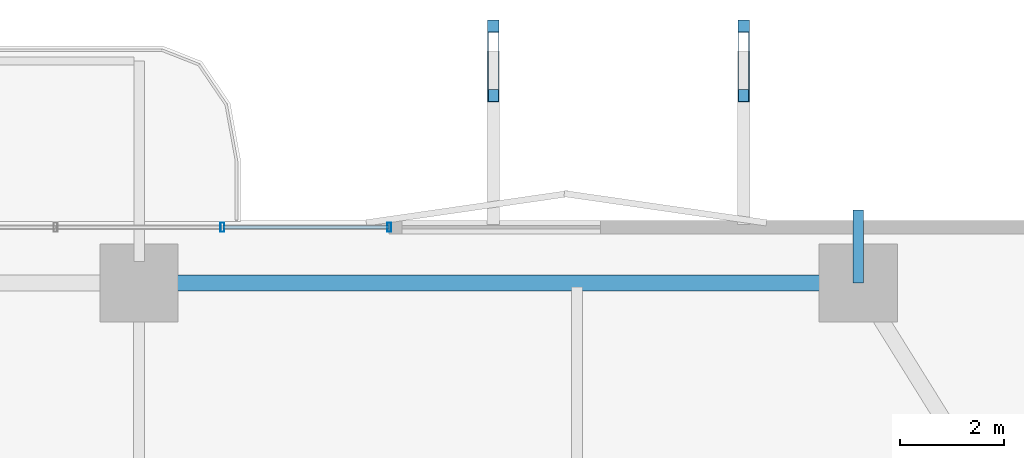
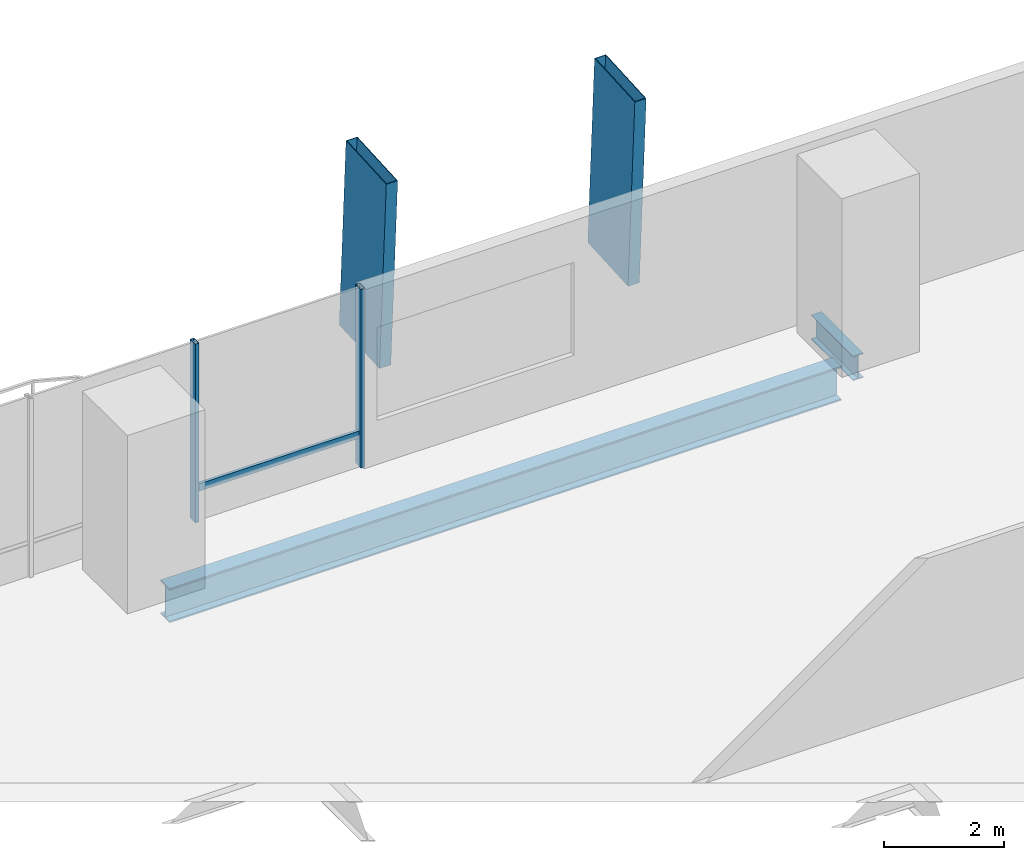
# One storey, part 15 of 24: 5 members, 2 beams, 1 element without a shape of its own.
"""IFC4 building model written with IfcOpenShell, lengths in metres."""

from ifc_helpers import new_model, si_unit, direction, frame, origin, origin_2d, place, context, subcontext, project, spatial, hollow_rectangle, i_section, extrude, material, layer, layer_set, material_profile, profile_set, type_object, element, aggregate, save


model = new_model("IFC4")

# Units and contexts
model_context = context("Model", 3, precision=1e-05, world=origin(), true_north=direction((0.0, 1.0)))
body_context = subcontext(model_context, "Body", "Model", "MODEL_VIEW")
ifc_project = project(units=[si_unit("LENGTHUNIT", "METRE"), si_unit("AREAUNIT", "SQUARE_METRE"), si_unit("VOLUMEUNIT", "CUBIC_METRE"), si_unit("PLANEANGLEUNIT", "RADIAN"), si_unit("MASSUNIT", "GRAM", prefix="KILO")], contexts=[model_context])

# Site, building, storey
site_placement = place(None, origin())
site = spatial("IfcSite", under=ifc_project, at=site_placement, CompositionType="ELEMENT")
building_placement = place(site_placement, origin())
building = spatial("IfcBuilding", under=site, at=building_placement, Name="Belovzor Exchange Tower", CompositionType="ELEMENT")
storey_placement = place(building_placement, frame((0.0, 0.0, 37.800048828125)))
storey = spatial("IfcBuildingStorey", under=building, at=storey_placement, Name="L08", CompositionType="ELEMENT", Elevation=37.800048828125)

# Members
ifc_material_1 = material(Name="Extruded Architectural Terracotta on Steel S355 Carrier", Category="masonry")
ifc_material_profile_1 = material_profile(ifc_material_1, hollow_rectangle(XDim=0.219970703125, YDim=1.35009765625, WallThickness=0.013916015625, at=origin_2d()))
ifc_profile_set_1 = profile_set([ifc_material_profile_1], Name="Extruded Architectural Terracotta on Steel S355 Carrier")
member_type_1 = type_object("IfcMemberType", Name="Base Arc Sweeping Terracotta Pylon Fin 1450", PredefinedType="USERDEFINED", material=ifc_profile_set_1)
for number, where, z_axis, x_axis, name in (
    (1, (35.60009765625, 59.873046875, -0.25), (0.0, -0.058121188646, 0.998309534879), (1.0, 0.0, 0.0), "FIN-TC145 Terracotta Facade Fin L08 N3"),
    (2, (40.39990234375, 59.873046875, -0.25), (0.0, -0.058121188646, 0.998309534879), (1.0, 0.0, 0.0), "FIN-TC145 Terracotta Facade Fin L08 N4"),
):
    element("IfcMember", number, at=place(storey_placement, frame(where, z_axis=z_axis, x_axis=x_axis)), inside=storey, type_object=member_type_1, Name=name, ObjectType="FIN", PredefinedType="USERDEFINED", context=body_context, shape_type="SweptSolid", body=[
        extrude(hollow_rectangle(XDim=0.219970703125, YDim=1.35009765625, WallThickness=0.013916015625, at=origin_2d()), origin(), (0.0, 0.0, 1.0), 3.906494140625),
    ])

# Beam
ifc_material_2 = material(Name="Steel S355", Category="steel")
ifc_material_profile_2 = material_profile(ifc_material_2, i_section(OverallWidth=0.199951171875, OverallDepth=0.5, WebThickness=0.01025390625, FlangeThickness=0.01611328125, at=origin_2d()))
ifc_profile_set_2 = profile_set([ifc_material_profile_2], Name="Steel S355")
beam_type_1 = type_object("IfcBeamType", Name="Planted Balcony Cantilever Beam IPE 500", PredefinedType="BEAM", material=ifc_profile_set_2)
beam_1_placement = place(storey_placement, frame((42.60009765625, 55.5, -0.5), z_axis=(0.0, 1.0, 0.0), x_axis=(-1.0, 0.0, 0.0)))
element("IfcBeam", 3, at=beam_1_placement, inside=storey, type_object=beam_type_1, Name="BC-500 Planted Balcony Cantilever Beam IPE 500", PredefinedType="BEAM", context=body_context, shape_type="SweptSolid", body=[
    extrude(i_section(OverallWidth=0.199951171875, OverallDepth=0.5, WebThickness=0.01025390625, FlangeThickness=0.01611328125, at=origin_2d()), origin(), (0.0, 0.0, 1.0), 1.39990234375),
])

# Curtain wall, members
ifc_material_3 = material(Name="Anodised Aluminium Framing", Category="aluminium")
ifc_layer = layer(ifc_material_3, 0.179931640625)
ifc_layer_set = layer_set([ifc_layer], Name="Anodised Aluminium Framing")
curtain_wall_type = type_object("IfcCurtainWallType", Name="Recessed Loggia Low-Iron Triple-Glazed Curtain Wall", PredefinedType="NOTDEFINED", material=ifc_layer_set)
curtain_wall_placement = place(storey_placement, origin())
curtain_wall = element("IfcCurtainWall", 4, at=curtain_wall_placement, inside=storey, type_object=curtain_wall_type, Name="CW3 Recessed Loggia Low-Iron Triple-Glazed Curtain Wall L08", PredefinedType="NOTDEFINED")
ifc_material_4 = material(Name="Steel S355", Category="steel")
ifc_material_profile_3 = material_profile(ifc_material_4, hollow_rectangle(XDim=0.074951171875, YDim=0.179931640625, WallThickness=0.0048828125, at=origin_2d()))
ifc_profile_set_3 = profile_set([ifc_material_profile_3], Name="Steel S355")
member_type_2 = type_object("IfcMemberType", Name="Thermally Broken Curtain Wall Mullion 180x75", PredefinedType="MULLION", material=ifc_profile_set_3)
member_1_placement = place(storey_placement, frame((30.39990234375, 56.570068359375, 0.0), z_axis=(0.0, 0.0, 1.0), x_axis=(1.0, 0.0, 0.0)))
member_1 = element("IfcMember", 5, at=member_1_placement, type_object=member_type_2, Name="CW-M180 Curtain Wall Mullion 3", PredefinedType="MULLION", context=body_context, shape_type="SweptSolid", body=[
    extrude(hollow_rectangle(XDim=0.074951171875, YDim=0.179931640625, WallThickness=0.0048828125, at=origin_2d()), origin(), (0.0, 0.0, 1.0), 3.64990234375),
])
member_2_placement = place(storey_placement, frame((33.60009765625, 56.570068359375, 0.0), z_axis=(0.0, 0.0, 1.0), x_axis=(1.0, 0.0, 0.0)))
member_2 = element("IfcMember", 6, at=member_2_placement, type_object=member_type_2, Name="CW-M180 Curtain Wall Mullion 4", PredefinedType="MULLION", context=body_context, shape_type="SweptSolid", body=[
    extrude(hollow_rectangle(XDim=0.074951171875, YDim=0.179931640625, WallThickness=0.0048828125, at=origin_2d()), origin(), (0.0, 0.0, 1.0), 3.64990234375),
])
ifc_material_5 = material(Name="Steel S355", Category="steel")
ifc_material_profile_4 = material_profile(ifc_material_5, hollow_rectangle(XDim=0.06005859375, YDim=0.14990234375, WallThickness=0.00390625, at=origin_2d()))
ifc_profile_set_4 = profile_set([ifc_material_profile_4], Name="Steel S355")
member_type_3 = type_object("IfcMemberType", Name="Thermally Broken Curtain Wall Transom 150x60", PredefinedType="USERDEFINED", material=ifc_profile_set_4)
member_3_placement = place(storey_placement, frame((30.407958984375, 56.570068359375, 0.64990234375), z_axis=(1.0, 0.0, 0.0), x_axis=(0.0, 1.0, 0.0)))
member_3 = element("IfcMember", 7, at=member_3_placement, type_object=member_type_3, Name="CW-T150 Curtain Wall Transom 3", ObjectType="TRANSOM", PredefinedType="USERDEFINED", context=body_context, shape_type="SweptSolid", body=[
    extrude(hollow_rectangle(XDim=0.06005859375, YDim=0.14990234375, WallThickness=0.00390625, at=origin_2d()), origin(), (0.0, 0.0, 1.0), 3.18408203125),
])
aggregate(curtain_wall, [member_1, member_2, member_3])

# Beam
ifc_material_6 = material(Name="Steel S355", Category="steel")
ifc_material_profile_5 = material_profile(ifc_material_6, i_section(OverallWidth=0.300048828125, OverallDepth=0.699951171875, WebThickness=0.01708984375, FlangeThickness=0.031982421875, at=origin_2d()))
ifc_profile_set_5 = profile_set([ifc_material_profile_5], Name="Steel S355")
beam_type_2 = type_object("IfcBeamType", Name="Zone 1 Primary Perimeter Girder HEB 700", PredefinedType="BEAM", material=ifc_profile_set_5)
beam_2_placement = place(storey_placement, frame((42.18798828125, 55.5, -0.60009765625), z_axis=(-1.0, 0.0, 0.0), x_axis=(0.0, -1.0, 0.0)))
element("IfcBeam", 8, at=beam_2_placement, inside=storey, type_object=beam_type_2, Name="FG-Z1 Zone 1 Primary Perimeter Girder HEB 700", PredefinedType="BEAM", context=body_context, shape_type="SweptSolid", body=[
    extrude(i_section(OverallWidth=0.300048828125, OverallDepth=0.699951171875, WebThickness=0.01708984375, FlangeThickness=0.031982421875, at=origin_2d()), origin(), (0.0, 0.0, 1.0), 12.97509765625),
])

save(model, "model.ifc")
